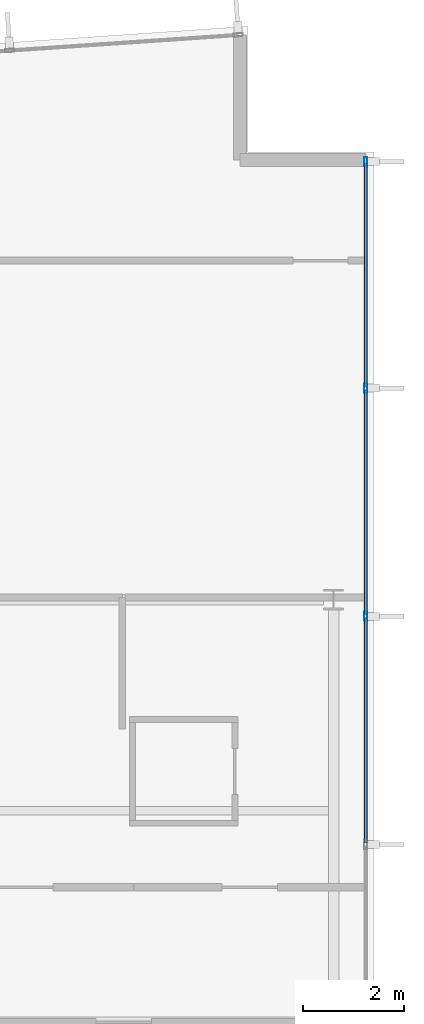
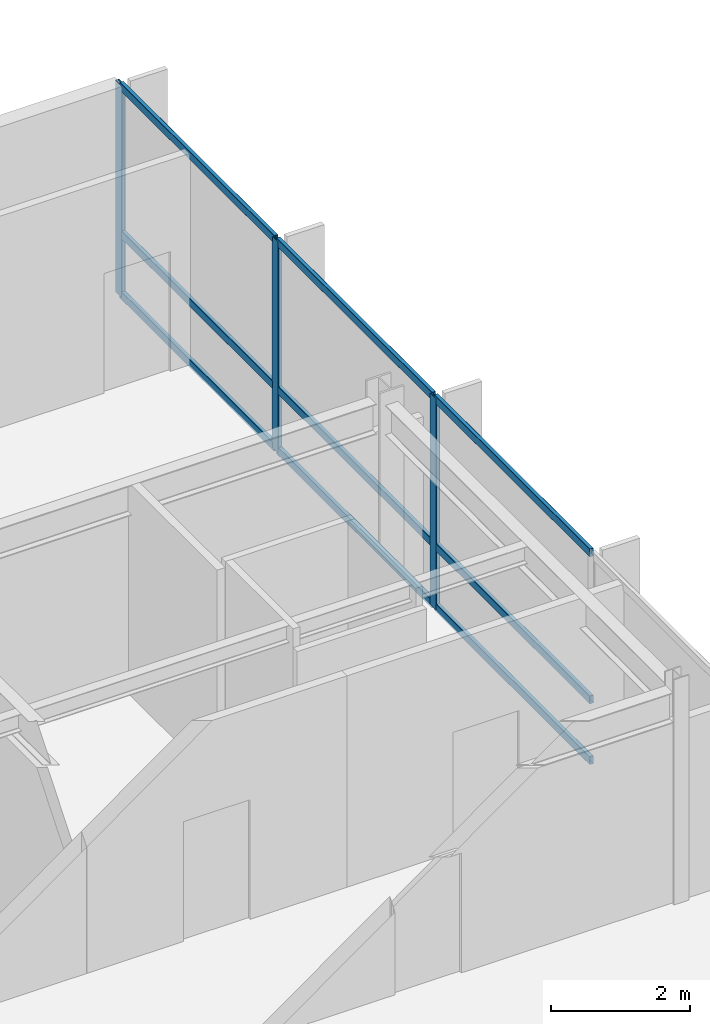
# One storey, part 8 of 17: 12 members, 1 element without a shape of its own.
"""IFC4 building model written with IfcOpenShell, lengths in metres."""

from ifc_helpers import new_model, si_unit, direction, frame, origin, origin_2d, place, context, subcontext, project, spatial, hollow_rectangle, extrude, material, layer, layer_set, material_profile, profile_set, type_object, element, aggregate, save


model = new_model("IFC4")

# Units and contexts
model_context = context("Model", 3, precision=1e-05, world=origin(), true_north=direction((0.0, 1.0)))
body_context = subcontext(model_context, "Body", "Model", "MODEL_VIEW")
ifc_project = project(units=[si_unit("LENGTHUNIT", "METRE"), si_unit("AREAUNIT", "SQUARE_METRE"), si_unit("VOLUMEUNIT", "CUBIC_METRE"), si_unit("PLANEANGLEUNIT", "RADIAN"), si_unit("MASSUNIT", "GRAM", prefix="KILO")], contexts=[model_context])

# Site, building, storey
site_placement = place(None, origin())
site = spatial("IfcSite", under=ifc_project, at=site_placement, CompositionType="ELEMENT")
building_placement = place(site_placement, origin())
building = spatial("IfcBuilding", under=site, at=building_placement, Name="Varnakote Quay Hospital", CompositionType="ELEMENT")
storey_placement = place(building_placement, frame((0.0, 0.0, 203.949951171875)))
storey = spatial("IfcBuildingStorey", under=building, at=storey_placement, Name="L50", CompositionType="ELEMENT", Elevation=203.949951171875)

# Curtain wall, members
ifc_material_1 = material(Name="Anodised aluminium 6063-T6 Bronze", Category="aluminium")
ifc_layer = layer(ifc_material_1, 0.219970703125)
ifc_layer_set = layer_set([ifc_layer], Name="Anodised aluminium 6063-T6 Bronze")
curtain_wall_type = type_object("IfcCurtainWallType", Name="CW-SYS-4", PredefinedType="NOTDEFINED", material=ifc_layer_set)
curtain_wall_placement = place(storey_placement, origin())
curtain_wall = element("IfcCurtainWall", 1, at=curtain_wall_placement, inside=storey, type_object=curtain_wall_type, Name="L50 Unitised Bronze Curtain Wall 1", PredefinedType="NOTDEFINED")
ifc_material_2 = material(Name="Anodised aluminium 6063-T6 Bronze", Category="aluminium")
ifc_material_profile_1 = material_profile(ifc_material_2, hollow_rectangle(XDim=0.06494140625, YDim=0.179931640625, WallThickness=0.00390625, InnerFilletRadius=0.00390625, OuterFilletRadius=0.008056640625, at=origin_2d()), Name="CW-MULL-180x65")
ifc_profile_set_1 = profile_set([ifc_material_profile_1], Name="Anodised aluminium 6063-T6 Bronze")
member_type_1 = type_object("IfcMemberType", Name="CW-MULL-180x65", PredefinedType="MULLION", material=ifc_profile_set_1)
member_1_placement = place(storey_placement, frame((51.0400390625, 20.068115234375, 0.0), z_axis=(0.0, 0.0, 1.0), x_axis=(-1.0, 0.0, 0.0)))
member_1 = element("IfcMember", 2, at=member_1_placement, type_object=member_type_1, Name="-4-L50-1 mullion 4", PredefinedType="MULLION", context=body_context, shape_type="SweptSolid", body=[
    extrude(hollow_rectangle(XDim=0.06494140625, YDim=0.179931640625, WallThickness=0.00390625, InnerFilletRadius=0.00390625, OuterFilletRadius=0.008056640625, at=origin_2d()), origin(), (0.0, 0.0, 1.0), 3.7099609375),
])
member_2_placement = place(storey_placement, frame((51.0400390625, 24.60400390625, 0.0), z_axis=(0.0, 0.0, 1.0), x_axis=(-1.0, 0.0, 0.0)))
member_2 = element("IfcMember", 3, at=member_2_placement, type_object=member_type_1, Name="-4-L50-1 mullion 5", PredefinedType="MULLION", context=body_context, shape_type="SweptSolid", body=[
    extrude(hollow_rectangle(XDim=0.06494140625, YDim=0.179931640625, WallThickness=0.00390625, InnerFilletRadius=0.00390625, OuterFilletRadius=0.008056640625, at=origin_2d()), origin(), (0.0, 0.0, 1.0), 3.7099609375),
])
member_3_placement = place(storey_placement, frame((51.0400390625, 29.107421875, 0.0), z_axis=(0.0, 0.0, 1.0), x_axis=(-1.0, 0.0, 0.0)))
member_3 = element("IfcMember", 4, at=member_3_placement, type_object=member_type_1, Name="-4-L50-1 mullion 6", PredefinedType="MULLION", context=body_context, shape_type="SweptSolid", body=[
    extrude(hollow_rectangle(XDim=0.06494140625, YDim=0.179931640625, WallThickness=0.00390625, InnerFilletRadius=0.00390625, OuterFilletRadius=0.008056640625, at=origin_2d()), origin(), (0.0, 0.0, 1.0), 3.7099609375),
])
ifc_material_3 = material(Name="Anodised aluminium 6063-T6 Bronze", Category="aluminium")
ifc_material_profile_2 = material_profile(ifc_material_3, hollow_rectangle(XDim=0.06494140625, YDim=0.139892578125, WallThickness=0.00390625, InnerFilletRadius=0.00390625, OuterFilletRadius=0.007568359375, at=origin_2d()), Name="CW-TRAN-140x65")
ifc_profile_set_2 = profile_set([ifc_material_profile_2], Name="Anodised aluminium 6063-T6 Bronze")
member_type_2 = type_object("IfcMemberType", Name="CW-TRAN-140x65", PredefinedType="USERDEFINED", material=ifc_profile_set_2)
member_4_placement = place(storey_placement, frame((51.0400390625, 15.564453125, 0.032470703125), z_axis=(0.0, 1.0, 0.0), x_axis=(-1.0, 0.0, 0.0)))
member_4 = element("IfcMember", 5, at=member_4_placement, type_object=member_type_2, Name="-4-L50-1 transom 3.1", ObjectType="TRANSOM", PredefinedType="USERDEFINED", context=body_context, shape_type="SweptSolid", body=[
    extrude(hollow_rectangle(XDim=0.06494140625, YDim=0.139892578125, WallThickness=0.00390625, InnerFilletRadius=0.00390625, OuterFilletRadius=0.007568359375, at=origin_2d()), origin(), (0.0, 0.0, 1.0), 4.470947265625),
])
member_5_placement = place(storey_placement, frame((51.0400390625, 15.564453125, 1.10009765625), z_axis=(0.0, 1.0, 0.0), x_axis=(-1.0, 0.0, 0.0)))
member_5 = element("IfcMember", 6, at=member_5_placement, type_object=member_type_2, Name="-4-L50-1 transom 3.2", ObjectType="TRANSOM", PredefinedType="USERDEFINED", context=body_context, shape_type="SweptSolid", body=[
    extrude(hollow_rectangle(XDim=0.06494140625, YDim=0.139892578125, WallThickness=0.00390625, InnerFilletRadius=0.00390625, OuterFilletRadius=0.007568359375, at=origin_2d()), origin(), (0.0, 0.0, 1.0), 4.470947265625),
])
member_6_placement = place(storey_placement, frame((51.0400390625, 15.564453125, 3.677490234375), z_axis=(0.0, 1.0, 0.0), x_axis=(-1.0, 0.0, 0.0)))
member_6 = element("IfcMember", 7, at=member_6_placement, type_object=member_type_2, Name="-4-L50-1 transom 3.3", ObjectType="TRANSOM", PredefinedType="USERDEFINED", context=body_context, shape_type="SweptSolid", body=[
    extrude(hollow_rectangle(XDim=0.06494140625, YDim=0.139892578125, WallThickness=0.00390625, InnerFilletRadius=0.00390625, OuterFilletRadius=0.007568359375, at=origin_2d()), origin(), (0.0, 0.0, 1.0), 4.470947265625),
])
member_7_placement = place(storey_placement, frame((51.0400390625, 20.1005859375, 0.032470703125), z_axis=(0.0, 1.0, 0.0), x_axis=(-1.0, 0.0, 0.0)))
member_7 = element("IfcMember", 8, at=member_7_placement, type_object=member_type_2, Name="-4-L50-1 transom 4.1", ObjectType="TRANSOM", PredefinedType="USERDEFINED", context=body_context, shape_type="SweptSolid", body=[
    extrude(hollow_rectangle(XDim=0.06494140625, YDim=0.139892578125, WallThickness=0.00390625, InnerFilletRadius=0.00390625, OuterFilletRadius=0.007568359375, at=origin_2d()), origin(), (0.0, 0.0, 1.0), 4.470947265625),
])
member_8_placement = place(storey_placement, frame((51.0400390625, 20.1005859375, 1.10009765625), z_axis=(0.0, 1.0, 0.0), x_axis=(-1.0, 0.0, 0.0)))
member_8 = element("IfcMember", 9, at=member_8_placement, type_object=member_type_2, Name="-4-L50-1 transom 4.2", ObjectType="TRANSOM", PredefinedType="USERDEFINED", context=body_context, shape_type="SweptSolid", body=[
    extrude(hollow_rectangle(XDim=0.06494140625, YDim=0.139892578125, WallThickness=0.00390625, InnerFilletRadius=0.00390625, OuterFilletRadius=0.007568359375, at=origin_2d()), origin(), (0.0, 0.0, 1.0), 4.470947265625),
])
member_9_placement = place(storey_placement, frame((51.0400390625, 20.1005859375, 3.677490234375), z_axis=(0.0, 1.0, 0.0), x_axis=(-1.0, 0.0, 0.0)))
member_9 = element("IfcMember", 10, at=member_9_placement, type_object=member_type_2, Name="-4-L50-1 transom 4.3", ObjectType="TRANSOM", PredefinedType="USERDEFINED", context=body_context, shape_type="SweptSolid", body=[
    extrude(hollow_rectangle(XDim=0.06494140625, YDim=0.139892578125, WallThickness=0.00390625, InnerFilletRadius=0.00390625, OuterFilletRadius=0.007568359375, at=origin_2d()), origin(), (0.0, 0.0, 1.0), 4.470947265625),
])
member_10_placement = place(storey_placement, frame((51.0400390625, 24.636474609375, 0.032470703125), z_axis=(0.0, 1.0, 0.0), x_axis=(-1.0, 0.0, 0.0)))
member_10 = element("IfcMember", 11, at=member_10_placement, type_object=member_type_2, Name="-4-L50-1 transom 5.1", ObjectType="TRANSOM", PredefinedType="USERDEFINED", context=body_context, shape_type="SweptSolid", body=[
    extrude(hollow_rectangle(XDim=0.06494140625, YDim=0.139892578125, WallThickness=0.00390625, InnerFilletRadius=0.00390625, OuterFilletRadius=0.007568359375, at=origin_2d()), origin(), (0.0, 0.0, 1.0), 4.4384765625),
])
member_11_placement = place(storey_placement, frame((51.0400390625, 24.636474609375, 1.10009765625), z_axis=(0.0, 1.0, 0.0), x_axis=(-1.0, 0.0, 0.0)))
member_11 = element("IfcMember", 12, at=member_11_placement, type_object=member_type_2, Name="-4-L50-1 transom 5.2", ObjectType="TRANSOM", PredefinedType="USERDEFINED", context=body_context, shape_type="SweptSolid", body=[
    extrude(hollow_rectangle(XDim=0.06494140625, YDim=0.139892578125, WallThickness=0.00390625, InnerFilletRadius=0.00390625, OuterFilletRadius=0.007568359375, at=origin_2d()), origin(), (0.0, 0.0, 1.0), 4.4384765625),
])
member_12_placement = place(storey_placement, frame((51.0400390625, 24.636474609375, 3.677490234375), z_axis=(0.0, 1.0, 0.0), x_axis=(-1.0, 0.0, 0.0)))
member_12 = element("IfcMember", 13, at=member_12_placement, type_object=member_type_2, Name="-4-L50-1 transom 5.3", ObjectType="TRANSOM", PredefinedType="USERDEFINED", context=body_context, shape_type="SweptSolid", body=[
    extrude(hollow_rectangle(XDim=0.06494140625, YDim=0.139892578125, WallThickness=0.00390625, InnerFilletRadius=0.00390625, OuterFilletRadius=0.007568359375, at=origin_2d()), origin(), (0.0, 0.0, 1.0), 4.4384765625),
])
aggregate(curtain_wall, [member_1, member_2, member_3, member_4, member_5, member_6, member_7, member_8, member_9, member_10, member_11, member_12])

save(model, "model.ifc")
